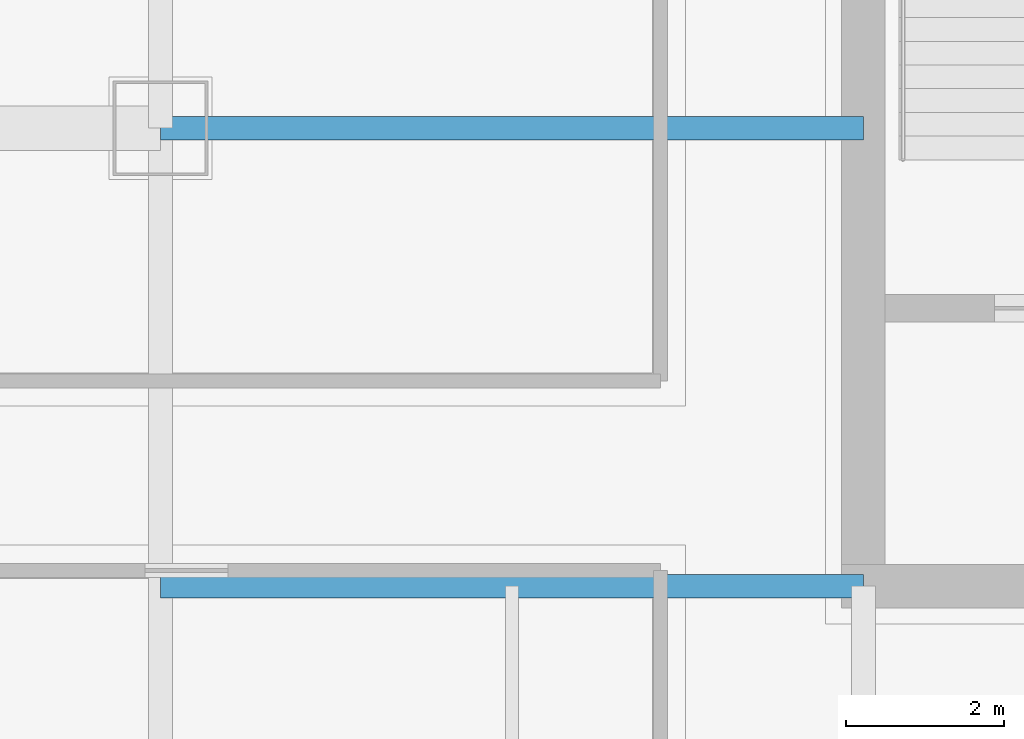
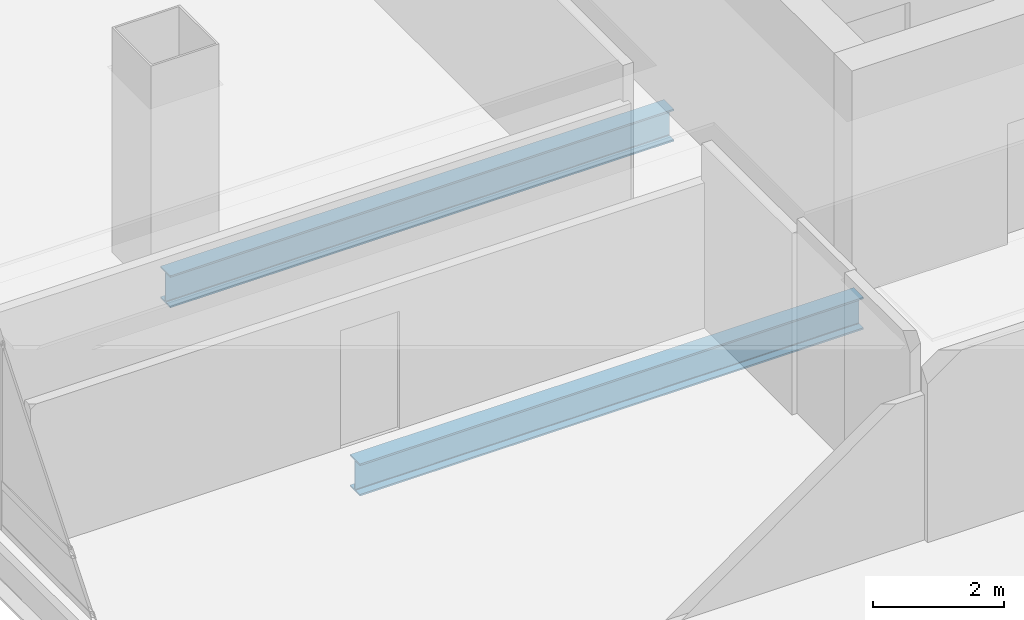
# One storey, part 6 of 41: 2 beams.
"""IFC4 building model written with IfcOpenShell, lengths in metres."""

from ifc_helpers import new_model, si_unit, direction, frame, origin, origin_2d, place, context, subcontext, project, spatial, i_section, extrude, material, material_profile, profile_set, type_object, element, save


model = new_model("IFC4")

# Units and contexts
model_context = context("Model", 3, precision=1e-05, world=origin(), true_north=direction((0.0, 1.0)))
body_context = subcontext(model_context, "Body", "Model", "MODEL_VIEW")
ifc_project = project(units=[si_unit("LENGTHUNIT", "METRE"), si_unit("AREAUNIT", "SQUARE_METRE"), si_unit("VOLUMEUNIT", "CUBIC_METRE"), si_unit("PLANEANGLEUNIT", "RADIAN"), si_unit("MASSUNIT", "GRAM", prefix="KILO")], contexts=[model_context])

# Site, building, storey
site_placement = place(None, origin())
site = spatial("IfcSite", under=ifc_project, at=site_placement, CompositionType="ELEMENT")
building_placement = place(site_placement, origin())
building = spatial("IfcBuilding", under=site, at=building_placement, Name="Punatoya Terracotta Tower", CompositionType="ELEMENT")
storey_placement = place(building_placement, frame((0.0, 0.0, 288.0)))
storey = spatial("IfcBuildingStorey", under=building, at=storey_placement, Name="L68", CompositionType="ELEMENT", Elevation=288.0)

# Beams
ifc_material = material(Name="Steel S355", Category="steel")
ifc_material_profile = material_profile(ifc_material, i_section(OverallWidth=0.300048828125, OverallDepth=0.60009765625, WebThickness=0.015380859375, FlangeThickness=0.030029296875, FilletRadius=0.01806640625, at=origin_2d()))
ifc_profile_set = profile_set([ifc_material_profile], Name="Steel S355")
beam_type = type_object("IfcBeamType", Name="BM-PRI-600", PredefinedType="BEAM", material=ifc_profile_set)
for number, where, z_axis, x_axis, name in (
    (1, (-19.10009765625, -9.199951171875, -0.5), (1.0, 0.0, 0.0), (0.0, 1.0, 0.0), "BM-L68-PR-WS"),
    (2, (-19.10009765625, -3.39990234375, -0.5), (1.0, 0.0, 0.0), (0.0, 1.0, 0.0), "BM-L68-PR-WD"),
):
    element("IfcBeam", number, at=place(storey_placement, frame(where, z_axis=z_axis, x_axis=x_axis)), inside=storey, type_object=beam_type, Name=name, PredefinedType="BEAM", context=body_context, shape_type="SweptSolid", body=[
        extrude(i_section(OverallWidth=0.300048828125, OverallDepth=0.60009765625, WebThickness=0.015380859375, FlangeThickness=0.030029296875, FilletRadius=0.01806640625, at=origin_2d()), origin(), (0.0, 0.0, 1.0), 8.900146484375),
    ])

save(model, "model.ifc")
